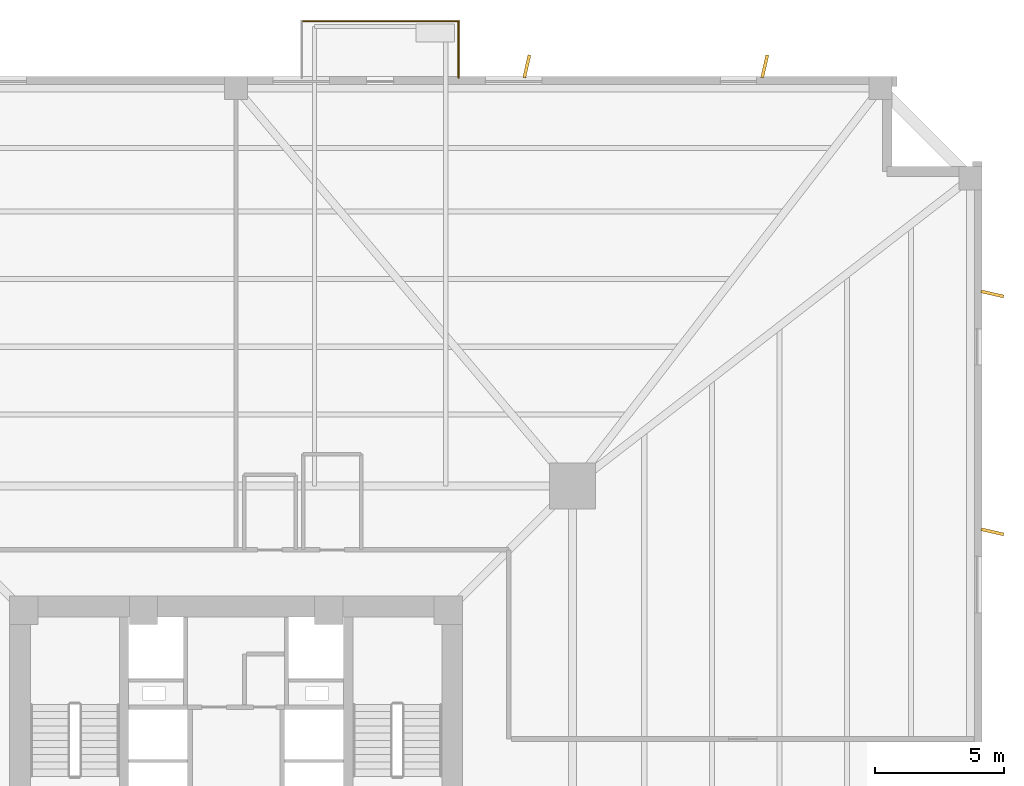
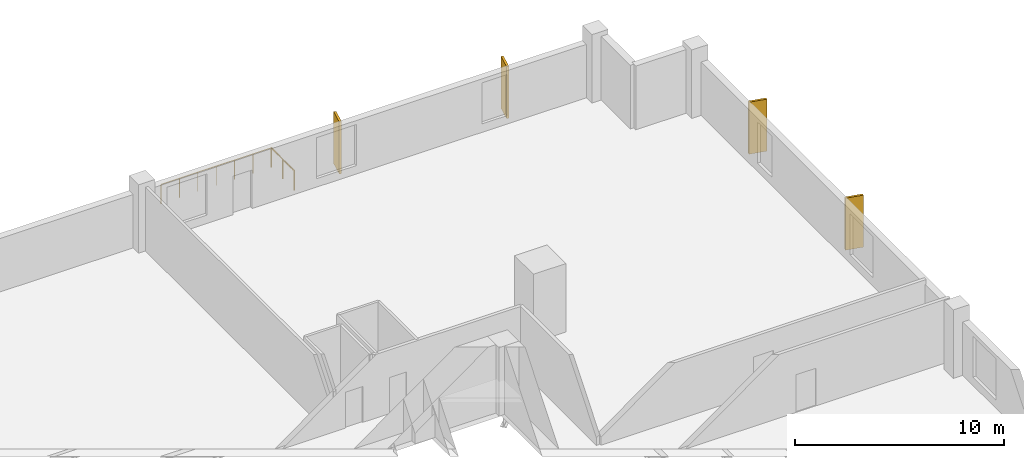
# One storey, part 8 of 8: 4 coverings, 2 railings.
"""IFC4 building model written with IfcOpenShell, lengths in metres."""

from ifc_helpers import new_model, si_unit, direction, frame, origin, origin_2d, place, context, subcontext, project, spatial, rectangle, circle, extrude, source, transform, mapped, material, layer, layer_set, type_object, element, save


model = new_model("IFC4")

# Units and contexts
model_context = context("Model", 3, precision=1e-05, world=origin(), true_north=direction((0.0, 1.0)))
body_context = subcontext(model_context, "Body", "Model", "MODEL_VIEW")
ifc_project = project(units=[si_unit("LENGTHUNIT", "METRE"), si_unit("AREAUNIT", "SQUARE_METRE"), si_unit("VOLUMEUNIT", "CUBIC_METRE"), si_unit("PLANEANGLEUNIT", "RADIAN"), si_unit("MASSUNIT", "GRAM", prefix="KILO"), si_unit("THERMODYNAMICTEMPERATUREUNIT", "KELVIN")], contexts=[model_context])

# Site, building, storey
site_placement = place(None, origin())
site = spatial("IfcSite", under=ifc_project, at=site_placement, CompositionType="ELEMENT")
building_placement = place(site_placement, origin())
building = spatial("IfcBuilding", under=site, at=building_placement, Name="Kosmvard Interchange Tower", CompositionType="ELEMENT")
storey_placement = place(building_placement, frame((0.0, 0.0, 54.0)))
storey = spatial("IfcBuildingStorey", under=building, at=storey_placement, Name="L12", CompositionType="ELEMENT", Elevation=54.0)

# Railing
ifc_material_1 = material(Name="Steel S355", Category="steel")
railing_type = type_object("IfcRailingType", Name="Observation & Balcony Glass-Infill Balustrade 1150", PredefinedType="BALUSTRADE", material=ifc_material_1)
shared_shape_1 = source(origin(), body_context, "Body", "SweptSolid", [
    extrude(circle(Radius=0.02392578125, at=origin_2d()), frame((0.0, 0.0, 1.1259765625), z_axis=(0.0, 1.0, 0.0), x_axis=(-1.0, 0.0, 0.0)), (0.0, 0.0, 1.0), 2.199951171875),
    extrude(circle(Radius=0.02099609375, at=origin_2d()), origin(), (0.0, 0.0, 1.0), 1.101806640625),
    extrude(circle(Radius=0.02099609375, at=origin_2d()), frame((0.0, 1.10009765625, 0.0)), (0.0, 0.0, 1.0), 1.101806640625),
    extrude(circle(Radius=0.02099609375, at=origin_2d()), frame((0.0, 2.199951171875, 0.0)), (0.0, 0.0, 1.0), 1.101806640625),
])
railing_1_placement = place(storey_placement, frame((8.64990234375, 28.949951171875, 0.0)))
element("IfcRailing", 1, at=railing_1_placement, inside=storey, type_object=railing_type, Name="L12 Outdoor Terrace Guard BAL-L12-N-A", PredefinedType="BALUSTRADE", context=body_context, shape_type="MappedRepresentation", body=[
    mapped(shared_shape_1, transform((0.0, 0.0, 0.0), scale=1.0)),
])

# Coverings
ifc_material_2 = material(Name="Architectural anodised aluminium", Category="aluminium")
ifc_layer = layer(ifc_material_2, 0.1201171875, Name="Architectural anodised aluminium")
ifc_layer_set = layer_set([ifc_layer], Name="Architectural anodised aluminium")
covering_type = type_object("IfcCoveringType", Name="Rotating Vertical Sun-Breaker Fin 900x120 Aluminium", PredefinedType="CLADDING", material=ifc_layer_set)
shared_shape_2 = source(origin(), body_context, "Body", "SweptSolid", [
    extrude(rectangle(XDim=0.89990234375, YDim=0.1201171875, at=origin_2d()), origin(), (0.0, 0.0, 1.0), 3.0400390625),
])
for number, where, z_axis, x_axis, name in (
    (2, (29.39990234375, 11.3037109375, 0.0400390625), (0.0, 0.0, 1.0), (0.974955645484, -0.222399391499, 0.0), "L12 Rotating Vertical Sun-Breaker Fin 07"),
    (3, (29.39990234375, 20.552001953125, 0.0400390625), (0.0, 0.0, 1.0), (0.974955645484, -0.222399391499, 0.0), "L12 Rotating Vertical Sun-Breaker Fin 08"),
    (4, (20.552001953125, 29.39990234375, 0.0400390625), (0.0, 0.0, 1.0), (0.222399391499, 0.974955645484, 0.0), "L12 Rotating Vertical Sun-Breaker Fin 09"),
    (5, (11.3037109375, 29.39990234375, 0.0400390625), (0.0, 0.0, 1.0), (0.222399391499, 0.974955645484, 0.0), "L12 Rotating Vertical Sun-Breaker Fin 10"),
):
    element("IfcCovering", number, at=place(storey_placement, frame(where, z_axis=z_axis, x_axis=x_axis)), inside=storey, type_object=covering_type, Name=name, PredefinedType="CLADDING", context=body_context, shape_type="MappedRepresentation", body=[
        mapped(shared_shape_2, transform((0.0, 0.0, 0.0), scale=1.0)),
    ])

# Railing
shared_shape_3 = source(origin(), body_context, "Body", "SweptSolid", [
    extrude(circle(Radius=0.02392578125, at=origin_2d()), frame((0.0, 0.0, 1.1259765625), z_axis=(-1.0, 0.0, 0.0), x_axis=(0.0, -1.0, 0.0)), (0.0, 0.0, 1.0), 6.099853515625),
    extrude(circle(Radius=0.02099609375, at=origin_2d()), origin(), (0.0, 0.0, 1.0), 1.101806640625),
    extrude(circle(Radius=0.02099609375, at=origin_2d()), frame((-1.0166015625, 0.0, 0.0)), (0.0, 0.0, 1.0), 1.101806640625),
    extrude(circle(Radius=0.02099609375, at=origin_2d()), frame((-2.033203125, 0.0, 0.0)), (0.0, 0.0, 1.0), 1.101806640625),
    extrude(circle(Radius=0.02099609375, at=origin_2d()), frame((-3.0498046875, 0.0, 0.0)), (0.0, 0.0, 1.0), 1.101806640625),
    extrude(circle(Radius=0.02099609375, at=origin_2d()), frame((-4.066650390625, 0.0, 0.0)), (0.0, 0.0, 1.0), 1.101806640625),
    extrude(circle(Radius=0.02099609375, at=origin_2d()), frame((-5.083251953125, 0.0, 0.0)), (0.0, 0.0, 1.0), 1.101806640625),
    extrude(circle(Radius=0.02099609375, at=origin_2d()), frame((-6.099853515625, 0.0, 0.0)), (0.0, 0.0, 1.0), 1.101806640625),
])
railing_2_placement = place(storey_placement, frame((8.64990234375, 31.14990234375, 0.0)))
element("IfcRailing", 6, at=railing_2_placement, inside=storey, type_object=railing_type, Name="L12 Outdoor Terrace Guard BAL-L12-N-B", PredefinedType="BALUSTRADE", context=body_context, shape_type="MappedRepresentation", body=[
    mapped(shared_shape_3, transform((0.0, 0.0, 0.0), scale=1.0)),
])

save(model, "model.ifc")
